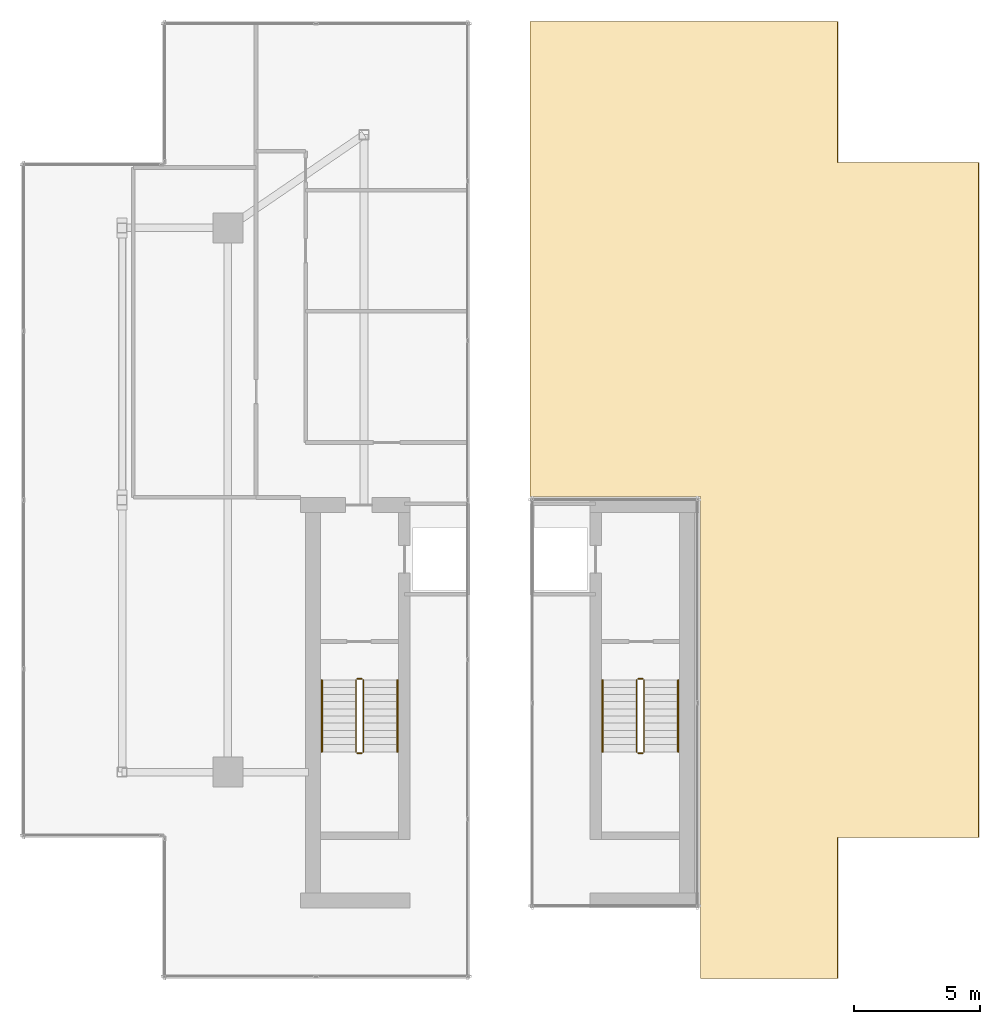
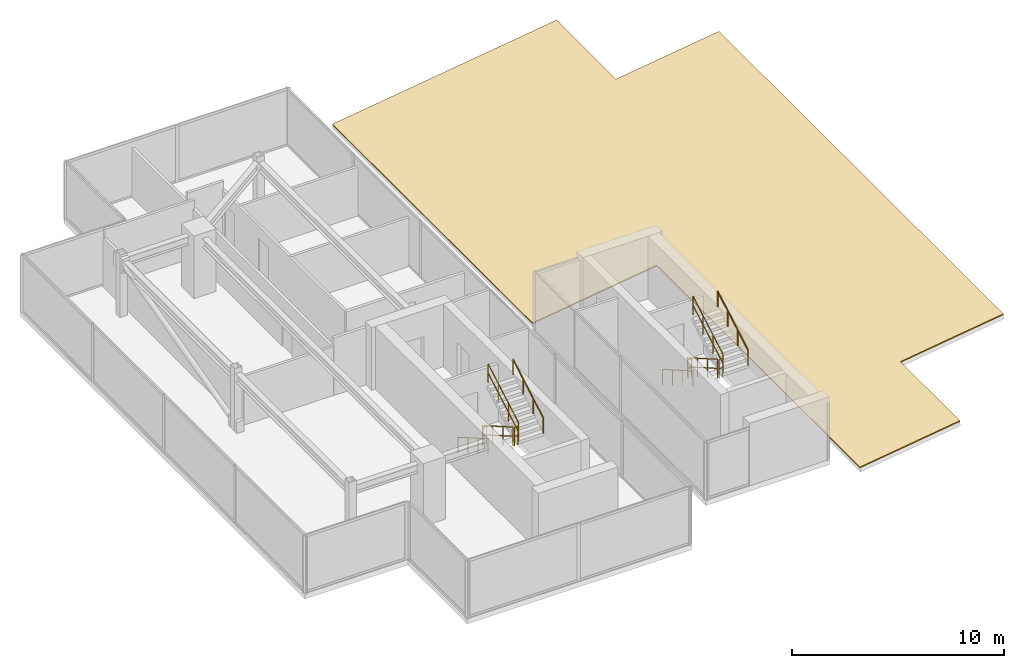
# One storey, part 16 of 16: 12 railings, 1 covering.
"""IFC4 building model written with IfcOpenShell, lengths in metres."""

from ifc_helpers import new_model, si_unit, direction, frame, origin, origin_2d, place, context, subcontext, project, spatial, polyline, circle, outline, extrude, material, layer, layer_set, type_object, element, save


model = new_model("IFC4")

# Units and contexts
model_context = context("Model", 3, precision=1e-05, world=origin(), true_north=direction((0.0, 1.0)))
body_context = subcontext(model_context, "Body", "Model", "MODEL_VIEW")
ifc_project = project(units=[si_unit("LENGTHUNIT", "METRE"), si_unit("AREAUNIT", "SQUARE_METRE"), si_unit("VOLUMEUNIT", "CUBIC_METRE"), si_unit("PLANEANGLEUNIT", "RADIAN"), si_unit("MASSUNIT", "GRAM", prefix="KILO")], contexts=[model_context])

# Site, building, storey
site_placement = place(None, origin())
site = spatial("IfcSite", under=ifc_project, at=site_placement, CompositionType="ELEMENT")
building_placement = place(site_placement, origin())
building = spatial("IfcBuilding", under=site, at=building_placement, Name="Krantzveldt Concourse Tower", CompositionType="ELEMENT")
storey_placement = place(building_placement, frame((0.0, 0.0, 378.25)))
storey = spatial("IfcBuildingStorey", under=building, at=storey_placement, Name="L93", CompositionType="ELEMENT", Elevation=378.25)

# Covering
ifc_material_1 = material(Name="EPDM waterproof membrane and ballast", Category="membrane")
ifc_layer_1 = layer(ifc_material_1, 0.06005859375, Name="EPDM waterproof membrane and ballast", Category="membrane")
ifc_layer_set_1 = layer_set([ifc_layer_1], Name="EPDM waterproof membrane and ballast (COV-ROOF-EPDM)")
covering_type = type_object("IfcCoveringType", Name="COV-ROOF-EPDM", PredefinedType="ROOFING", material=ifc_layer_set_1)
covering_placement = place(storey_placement, frame((43.9599609375, 7.699951171875, 1.24609375), z_axis=(-0.139172039308, 1.662717e-06, 0.990268217945), x_axis=(0.990268217946, 3.7e-11, 0.139172039308)))
element("IfcCovering", 1, at=covering_placement, inside=storey, type_object=covering_type, Name="COV-L93-EAST_ROOF", PredefinedType="ROOFING", context=body_context, shape_type="SweptSolid", body=[
    extrude(outline(polyline([(0.0, 0.0), (5.493384786952224, 2.117582368135751e-22), (5.493384787159793, 5.600097656242259), (11.148527130417808, 5.600097655912291), (11.148527131411157, 32.400146484000246), (5.493384788153143, 32.400146484330214), (5.493384788360703, 37.99999999994747), (-6.8264634418791665, 38.00000000043971), (-6.826463442578212, 19.14013671921579), (7.094335514098986e-10, 19.140136718723543), (0.0, 0.0)])), origin(), (0.0, 0.0, -1.0), 0.06005859375),
])

# Railings
ifc_material_2 = material(Name="Stainless steel 316L", Category="steel")
ifc_layer_2 = layer(ifc_material_2, 0.06005859375, Name="Stainless steel 316L", Category="steel")
ifc_layer_set_2 = layer_set([ifc_layer_2], Name="Stainless steel 316L (RL-GUARD-1120)")
railing_type_1 = type_object("IfcRailingType", Name="RL-GUARD-1120", PredefinedType="GUARDRAIL", material=ifc_layer_set_2)
railing_1_placement = place(storey_placement, frame((30.280029296875, 19.550048828125, 0.16357421875)))
element("IfcRailing", 2, at=railing_1_placement, inside=storey, type_object=railing_type_1, Name="L93 ST-1 stair guard 1", PredefinedType="GUARDRAIL", context=body_context, shape_type="SweptSolid", body=[
    extrude(circle(Radius=0.02392578125, at=origin_2d()), frame((0.0, 0.0, 1.076171875), z_axis=(0.0, -0.86721270334, 0.497937874806), x_axis=(1.0, 0.0, 0.0)), (0.0, 0.0, 1.0), 3.28662109375),
    extrude(circle(Radius=0.02392578125, at=origin_2d()), frame((0.0, 0.0, 0.550048828125), z_axis=(0.0, -0.86721270334, 0.497937874806), x_axis=(1.0, 0.0, 0.0)), (0.0, 0.0, 1.0), 3.28662109375),
    extrude(circle(Radius=0.02099609375, at=origin_2d()), origin(), (0.0, 0.0, 1.0), 1.052001953125),
    extrude(circle(Radius=0.02099609375, at=origin_2d()), frame((0.0, -0.949951171875, 0.54541015625)), (0.0, 0.0, 1.0), 1.052001953125),
    extrude(circle(Radius=0.02099609375, at=origin_2d()), frame((0.0, -1.900146484375, 1.091064453125)), (0.0, 0.0, 1.0), 1.052001953125),
    extrude(circle(Radius=0.02099609375, at=origin_2d()), frame((0.0, -2.85009765625, 1.636474609375)), (0.0, 0.0, 1.0), 1.052001953125),
])
railing_2_placement = place(storey_placement, frame((30.330078125, 16.64990234375, 1.800048828125)))
element("IfcRailing", 3, at=railing_2_placement, inside=storey, type_object=railing_type_1, Name="L93 ST-1 stair guard 2", PredefinedType="GUARDRAIL", context=body_context, shape_type="SweptSolid", body=[
    extrude(circle(Radius=0.02392578125, at=origin_2d()), frame((0.0, 0.0, 1.076171875), z_axis=(1.0, 0.0, 0.0), x_axis=(0.0, 1.0, 0.0)), (0.0, 0.0, 1.0), 0.199951171875),
    extrude(circle(Radius=0.02392578125, at=origin_2d()), frame((0.0, 0.0, 0.550048828125), z_axis=(1.0, 0.0, 0.0), x_axis=(0.0, 1.0, 0.0)), (0.0, 0.0, 1.0), 0.199951171875),
    extrude(circle(Radius=0.02099609375, at=origin_2d()), origin(), (0.0, 0.0, 1.0), 1.052001953125),
    extrude(circle(Radius=0.02099609375, at=origin_2d()), frame((0.199951171875, 0.0, 0.0)), (0.0, 0.0, 1.0), 1.052001953125),
])
railing_3_placement = place(storey_placement, frame((30.580078125, 16.699951171875, 1.963623046875)))
element("IfcRailing", 4, at=railing_3_placement, inside=storey, type_object=railing_type_1, Name="L93 ST-1 stair guard 3", PredefinedType="GUARDRAIL", context=body_context, shape_type="SweptSolid", body=[
    extrude(circle(Radius=0.02392578125, at=origin_2d()), frame((0.0, 0.0, 1.076171875), z_axis=(0.0, 0.86721270334, 0.497937874806), x_axis=(-1.0, 0.0, 0.0)), (0.0, 0.0, 1.0), 3.28662109375),
    extrude(circle(Radius=0.02392578125, at=origin_2d()), frame((0.0, 0.0, 0.550048828125), z_axis=(0.0, 0.86721270334, 0.497937874806), x_axis=(-1.0, 0.0, 0.0)), (0.0, 0.0, 1.0), 3.28662109375),
    extrude(circle(Radius=0.02099609375, at=origin_2d()), origin(), (0.0, 0.0, 1.0), 1.052001953125),
    extrude(circle(Radius=0.02099609375, at=origin_2d()), frame((0.0, 0.949951171875, 0.54541015625)), (0.0, 0.0, 1.0), 1.052001953125),
    extrude(circle(Radius=0.02099609375, at=origin_2d()), frame((0.0, 1.900146484375, 1.091064453125)), (0.0, 0.0, 1.0), 1.052001953125),
    extrude(circle(Radius=0.02099609375, at=origin_2d()), frame((0.0, 2.85009765625, 1.636474609375)), (0.0, 0.0, 1.0), 1.052001953125),
])
railing_4_placement = place(storey_placement, frame((30.330078125, 19.60009765625, 0.0)))
element("IfcRailing", 5, at=railing_4_placement, inside=storey, type_object=railing_type_1, Name="L93 ST-1 stair guard 4", PredefinedType="GUARDRAIL", context=body_context, shape_type="SweptSolid", body=[
    extrude(circle(Radius=0.02392578125, at=origin_2d()), frame((0.0, 0.0, 1.076171875), z_axis=(1.0, 0.0, 0.0), x_axis=(0.0, 1.0, 0.0)), (0.0, 0.0, 1.0), 0.199951171875),
    extrude(circle(Radius=0.02392578125, at=origin_2d()), frame((0.0, 0.0, 0.550048828125), z_axis=(1.0, 0.0, 0.0), x_axis=(0.0, 1.0, 0.0)), (0.0, 0.0, 1.0), 0.199951171875),
    extrude(circle(Radius=0.02099609375, at=origin_2d()), origin(), (0.0, 0.0, 1.0), 1.052001953125),
    extrude(circle(Radius=0.02099609375, at=origin_2d()), frame((0.199951171875, 0.0, 0.0)), (0.0, 0.0, 1.0), 1.052001953125),
])
railing_5_placement = place(storey_placement, frame((41.419921875, 19.550048828125, 0.16357421875)))
element("IfcRailing", 6, at=railing_5_placement, inside=storey, type_object=railing_type_1, Name="L93 ST-2 stair guard 1", PredefinedType="GUARDRAIL", context=body_context, shape_type="SweptSolid", body=[
    extrude(circle(Radius=0.02392578125, at=origin_2d()), frame((0.0, 0.0, 1.076171875), z_axis=(0.0, -0.86721270334, 0.497937874806), x_axis=(1.0, 0.0, 0.0)), (0.0, 0.0, 1.0), 3.28662109375),
    extrude(circle(Radius=0.02392578125, at=origin_2d()), frame((0.0, 0.0, 0.550048828125), z_axis=(0.0, -0.86721270334, 0.497937874806), x_axis=(1.0, 0.0, 0.0)), (0.0, 0.0, 1.0), 3.28662109375),
    extrude(circle(Radius=0.02099609375, at=origin_2d()), origin(), (0.0, 0.0, 1.0), 1.052001953125),
    extrude(circle(Radius=0.02099609375, at=origin_2d()), frame((0.0, -0.949951171875, 0.54541015625)), (0.0, 0.0, 1.0), 1.052001953125),
    extrude(circle(Radius=0.02099609375, at=origin_2d()), frame((0.0, -1.900146484375, 1.091064453125)), (0.0, 0.0, 1.0), 1.052001953125),
    extrude(circle(Radius=0.02099609375, at=origin_2d()), frame((0.0, -2.85009765625, 1.636474609375)), (0.0, 0.0, 1.0), 1.052001953125),
])
railing_6_placement = place(storey_placement, frame((41.469970703125, 16.64990234375, 1.800048828125)))
element("IfcRailing", 7, at=railing_6_placement, inside=storey, type_object=railing_type_1, Name="L93 ST-2 stair guard 2", PredefinedType="GUARDRAIL", context=body_context, shape_type="SweptSolid", body=[
    extrude(circle(Radius=0.02392578125, at=origin_2d()), frame((0.0, 0.0, 1.076171875), z_axis=(1.0, 0.0, 0.0), x_axis=(0.0, 1.0, 0.0)), (0.0, 0.0, 1.0), 0.199951171875),
    extrude(circle(Radius=0.02392578125, at=origin_2d()), frame((0.0, 0.0, 0.550048828125), z_axis=(1.0, 0.0, 0.0), x_axis=(0.0, 1.0, 0.0)), (0.0, 0.0, 1.0), 0.199951171875),
    extrude(circle(Radius=0.02099609375, at=origin_2d()), origin(), (0.0, 0.0, 1.0), 1.052001953125),
    extrude(circle(Radius=0.02099609375, at=origin_2d()), frame((0.199951171875, 0.0, 0.0)), (0.0, 0.0, 1.0), 1.052001953125),
])
railing_7_placement = place(storey_placement, frame((41.719970703125, 16.699951171875, 1.963623046875)))
element("IfcRailing", 8, at=railing_7_placement, inside=storey, type_object=railing_type_1, Name="L93 ST-2 stair guard 3", PredefinedType="GUARDRAIL", context=body_context, shape_type="SweptSolid", body=[
    extrude(circle(Radius=0.02392578125, at=origin_2d()), frame((0.0, 0.0, 1.076171875), z_axis=(0.0, 0.86721270334, 0.497937874806), x_axis=(-1.0, 0.0, 0.0)), (0.0, 0.0, 1.0), 3.28662109375),
    extrude(circle(Radius=0.02392578125, at=origin_2d()), frame((0.0, 0.0, 0.550048828125), z_axis=(0.0, 0.86721270334, 0.497937874806), x_axis=(-1.0, 0.0, 0.0)), (0.0, 0.0, 1.0), 3.28662109375),
    extrude(circle(Radius=0.02099609375, at=origin_2d()), origin(), (0.0, 0.0, 1.0), 1.052001953125),
    extrude(circle(Radius=0.02099609375, at=origin_2d()), frame((0.0, 0.949951171875, 0.54541015625)), (0.0, 0.0, 1.0), 1.052001953125),
    extrude(circle(Radius=0.02099609375, at=origin_2d()), frame((0.0, 1.900146484375, 1.091064453125)), (0.0, 0.0, 1.0), 1.052001953125),
    extrude(circle(Radius=0.02099609375, at=origin_2d()), frame((0.0, 2.85009765625, 1.636474609375)), (0.0, 0.0, 1.0), 1.052001953125),
])
railing_8_placement = place(storey_placement, frame((41.469970703125, 19.60009765625, 0.0)))
element("IfcRailing", 9, at=railing_8_placement, inside=storey, type_object=railing_type_1, Name="L93 ST-2 stair guard 4", PredefinedType="GUARDRAIL", context=body_context, shape_type="SweptSolid", body=[
    extrude(circle(Radius=0.02392578125, at=origin_2d()), frame((0.0, 0.0, 1.076171875), z_axis=(1.0, 0.0, 0.0), x_axis=(0.0, 1.0, 0.0)), (0.0, 0.0, 1.0), 0.199951171875),
    extrude(circle(Radius=0.02392578125, at=origin_2d()), frame((0.0, 0.0, 0.550048828125), z_axis=(1.0, 0.0, 0.0), x_axis=(0.0, 1.0, 0.0)), (0.0, 0.0, 1.0), 0.199951171875),
    extrude(circle(Radius=0.02099609375, at=origin_2d()), origin(), (0.0, 0.0, 1.0), 1.052001953125),
    extrude(circle(Radius=0.02099609375, at=origin_2d()), frame((0.199951171875, 0.0, 0.0)), (0.0, 0.0, 1.0), 1.052001953125),
])
ifc_layer_3 = layer(ifc_material_2, 0.050048828125, Name="Stainless steel 316L", Category="steel")
ifc_layer_set_3 = layer_set([ifc_layer_3], Name="Stainless steel 316L (RL-HANDRAIL-920)")
railing_type_2 = type_object("IfcRailingType", Name="RL-HANDRAIL-920", PredefinedType="HANDRAIL", material=ifc_layer_set_3)
railing_9_placement = place(storey_placement, frame((28.929931640625, 19.550048828125, 0.16357421875)))
element("IfcRailing", 10, at=railing_9_placement, inside=storey, type_object=railing_type_2, Name="L93 ST-1 stair handrail 1", PredefinedType="HANDRAIL", context=body_context, shape_type="SweptSolid", body=[
    extrude(circle(Radius=0.02392578125, at=origin_2d()), frame((0.0, 0.0, 0.8759765625), z_axis=(0.0, -0.86721270334, 0.497937874806), x_axis=(1.0, 0.0, 0.0)), (0.0, 0.0, 1.0), 3.28662109375),
    extrude(circle(Radius=0.02099609375, at=origin_2d()), origin(), (0.0, 0.0, 1.0), 0.851806640625),
    extrude(circle(Radius=0.02099609375, at=origin_2d()), frame((0.0, -0.949951171875, 0.54541015625)), (0.0, 0.0, 1.0), 0.851806640625),
    extrude(circle(Radius=0.02099609375, at=origin_2d()), frame((0.0, -1.900146484375, 1.091064453125)), (0.0, 0.0, 1.0), 0.851806640625),
    extrude(circle(Radius=0.02099609375, at=origin_2d()), frame((0.0, -2.85009765625, 1.636474609375)), (0.0, 0.0, 1.0), 0.851806640625),
])
railing_10_placement = place(storey_placement, frame((31.929931640625, 16.699951171875, 1.963623046875)))
element("IfcRailing", 11, at=railing_10_placement, inside=storey, type_object=railing_type_2, Name="L93 ST-1 stair handrail 2", PredefinedType="HANDRAIL", context=body_context, shape_type="SweptSolid", body=[
    extrude(circle(Radius=0.02392578125, at=origin_2d()), frame((0.0, 0.0, 0.8759765625), z_axis=(0.0, 0.86721270334, 0.497937874806), x_axis=(-1.0, 0.0, 0.0)), (0.0, 0.0, 1.0), 3.28662109375),
    extrude(circle(Radius=0.02099609375, at=origin_2d()), origin(), (0.0, 0.0, 1.0), 0.851806640625),
    extrude(circle(Radius=0.02099609375, at=origin_2d()), frame((0.0, 0.949951171875, 0.54541015625)), (0.0, 0.0, 1.0), 0.851806640625),
    extrude(circle(Radius=0.02099609375, at=origin_2d()), frame((0.0, 1.900146484375, 1.091064453125)), (0.0, 0.0, 1.0), 0.851806640625),
    extrude(circle(Radius=0.02099609375, at=origin_2d()), frame((0.0, 2.85009765625, 1.636474609375)), (0.0, 0.0, 1.0), 0.851806640625),
])
railing_11_placement = place(storey_placement, frame((40.070068359375, 19.550048828125, 0.16357421875)))
element("IfcRailing", 12, at=railing_11_placement, inside=storey, type_object=railing_type_2, Name="L93 ST-2 stair handrail 1", PredefinedType="HANDRAIL", context=body_context, shape_type="SweptSolid", body=[
    extrude(circle(Radius=0.02392578125, at=origin_2d()), frame((0.0, 0.0, 0.8759765625), z_axis=(0.0, -0.86721270334, 0.497937874806), x_axis=(1.0, 0.0, 0.0)), (0.0, 0.0, 1.0), 3.28662109375),
    extrude(circle(Radius=0.02099609375, at=origin_2d()), origin(), (0.0, 0.0, 1.0), 0.851806640625),
    extrude(circle(Radius=0.02099609375, at=origin_2d()), frame((0.0, -0.949951171875, 0.54541015625)), (0.0, 0.0, 1.0), 0.851806640625),
    extrude(circle(Radius=0.02099609375, at=origin_2d()), frame((0.0, -1.900146484375, 1.091064453125)), (0.0, 0.0, 1.0), 0.851806640625),
    extrude(circle(Radius=0.02099609375, at=origin_2d()), frame((0.0, -2.85009765625, 1.636474609375)), (0.0, 0.0, 1.0), 0.851806640625),
])
railing_12_placement = place(storey_placement, frame((43.070068359375, 16.699951171875, 1.963623046875)))
element("IfcRailing", 13, at=railing_12_placement, inside=storey, type_object=railing_type_2, Name="L93 ST-2 stair handrail 2", PredefinedType="HANDRAIL", context=body_context, shape_type="SweptSolid", body=[
    extrude(circle(Radius=0.02392578125, at=origin_2d()), frame((0.0, 0.0, 0.8759765625), z_axis=(0.0, 0.86721270334, 0.497937874806), x_axis=(-1.0, 0.0, 0.0)), (0.0, 0.0, 1.0), 3.28662109375),
    extrude(circle(Radius=0.02099609375, at=origin_2d()), origin(), (0.0, 0.0, 1.0), 0.851806640625),
    extrude(circle(Radius=0.02099609375, at=origin_2d()), frame((0.0, 0.949951171875, 0.54541015625)), (0.0, 0.0, 1.0), 0.851806640625),
    extrude(circle(Radius=0.02099609375, at=origin_2d()), frame((0.0, 1.900146484375, 1.091064453125)), (0.0, 0.0, 1.0), 0.851806640625),
    extrude(circle(Radius=0.02099609375, at=origin_2d()), frame((0.0, 2.85009765625, 1.636474609375)), (0.0, 0.0, 1.0), 0.851806640625),
])

save(model, "model.ifc")
